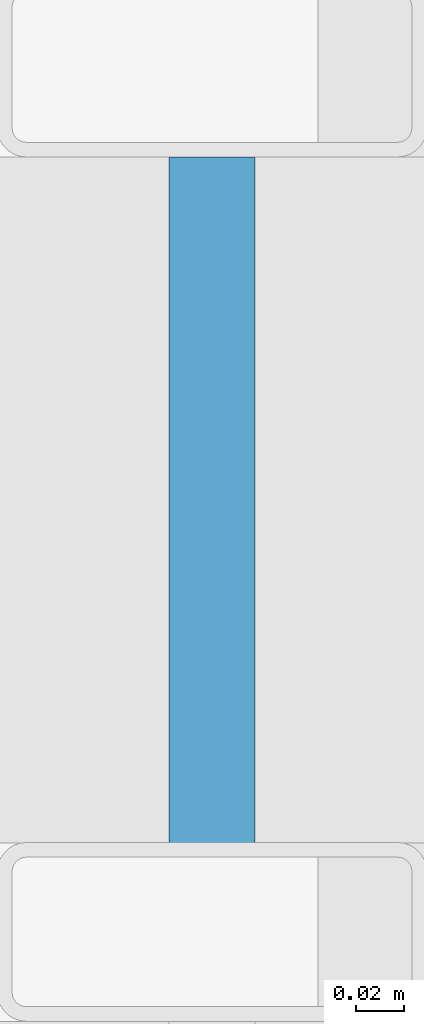
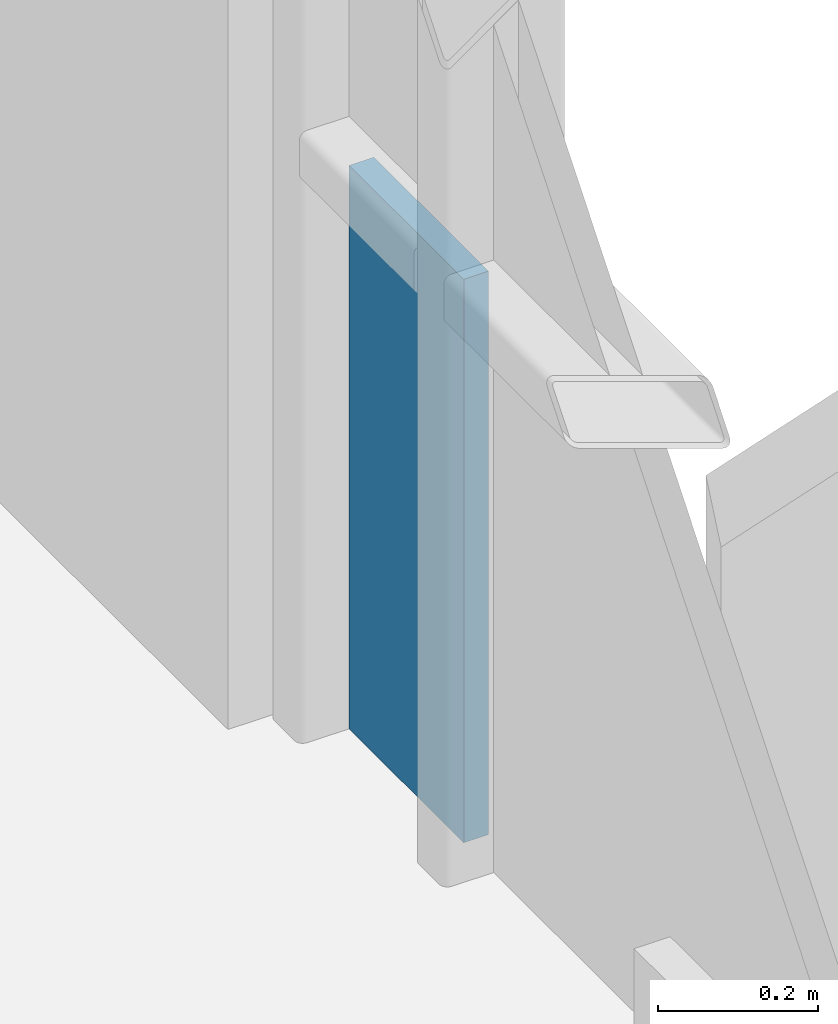
# One storey, part 13 of 18: 1 plate, 1 element without a shape of its own.
"""IFC4 building model written with IfcOpenShell, lengths in metres."""

from ifc_helpers import new_model, si_unit, direction, frame, origin, origin_2d, place, context, subcontext, project, spatial, rectangle, extrude, material, layer, layer_set, type_object, element, aggregate, save


model = new_model("IFC4")

# Units and contexts
model_context = context("Model", 3, precision=1e-05, world=origin(), true_north=direction((0.0, 1.0)))
body_context = subcontext(model_context, "Body", "Model", "MODEL_VIEW")
ifc_project = project(units=[si_unit("LENGTHUNIT", "METRE"), si_unit("AREAUNIT", "SQUARE_METRE"), si_unit("VOLUMEUNIT", "CUBIC_METRE"), si_unit("PLANEANGLEUNIT", "RADIAN"), si_unit("MASSUNIT", "GRAM", prefix="KILO")], contexts=[model_context])

# Site, building, storey
site_placement = place(None, origin())
site = spatial("IfcSite", under=ifc_project, at=site_placement, CompositionType="ELEMENT")
building_placement = place(site_placement, origin())
building = spatial("IfcBuilding", under=site, at=building_placement, Name="Brevholm Reach", CompositionType="ELEMENT")
storey_placement = place(building_placement, frame((0.0, 0.0, 243.64990234375)))
storey = spatial("IfcBuildingStorey", under=building, at=storey_placement, Name="L74", CompositionType="ELEMENT", Elevation=243.64990234375)

# Curtain wall, plate
ifc_material_1 = material(Name="Dark Anodised Aluminium 6063-T6 and Solar-Control Glass", Category="aluminium")
ifc_layer_1 = layer(ifc_material_1, 0.179931640625)
ifc_layer_set_1 = layer_set([ifc_layer_1], Name="Dark Anodised Aluminium 6063-T6 and Solar-Control Glass")
curtain_wall_type = type_object("IfcCurtainWallType", Name="CW-05", PredefinedType="NOTDEFINED", material=ifc_layer_set_1)
curtain_wall_placement = place(storey_placement, origin())
curtain_wall = element("IfcCurtainWall", 1, at=curtain_wall_placement, inside=storey, type_object=curtain_wall_type, Name="L74 Curtain Wall CW-05", PredefinedType="NOTDEFINED")
ifc_material_2 = material(Name="Low-Iron Laminated Acoustic Glass", Category="glass")
ifc_layer_2 = layer(ifc_material_2, 0.035888671875)
ifc_layer_set_2 = layer_set([ifc_layer_2], Name="Low-Iron Laminated Acoustic Glass")
plate_type = type_object("IfcPlateType", Name="CWP-GLZ-36", PredefinedType="CURTAIN_PANEL", material=ifc_layer_set_2)
plate_placement = place(storey_placement, frame((59.85009765625, 22.731201171875, 0.0), z_axis=(0.0, 0.0, 1.0), x_axis=(0.0, 1.0, 0.0)))
plate = element("IfcPlate", 2, at=plate_placement, type_object=plate_type, Name="CP-02 Glazing Panel 5.1", PredefinedType="CURTAIN_PANEL", context=body_context, shape_type="SweptSolid", body=[
    extrude(rectangle(XDim=0.28759765625, YDim=0.035888671875, at=origin_2d()), origin(), (0.0, 0.0, 1.0), 0.862548828125),
])
aggregate(curtain_wall, [plate])

save(model, "model.ifc")
